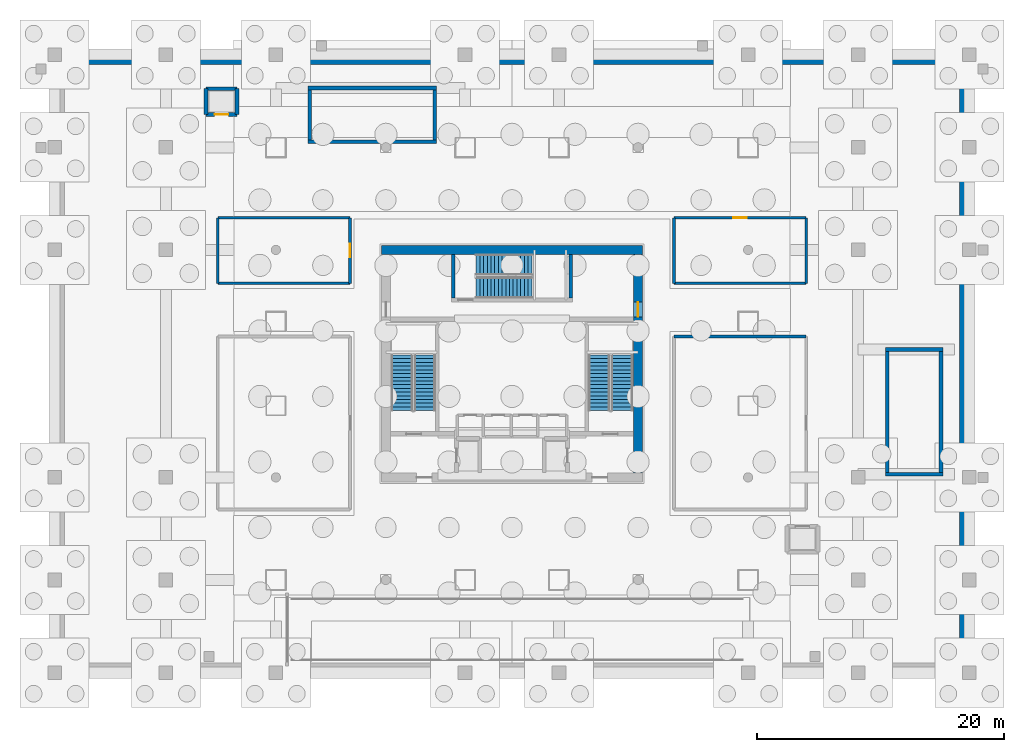
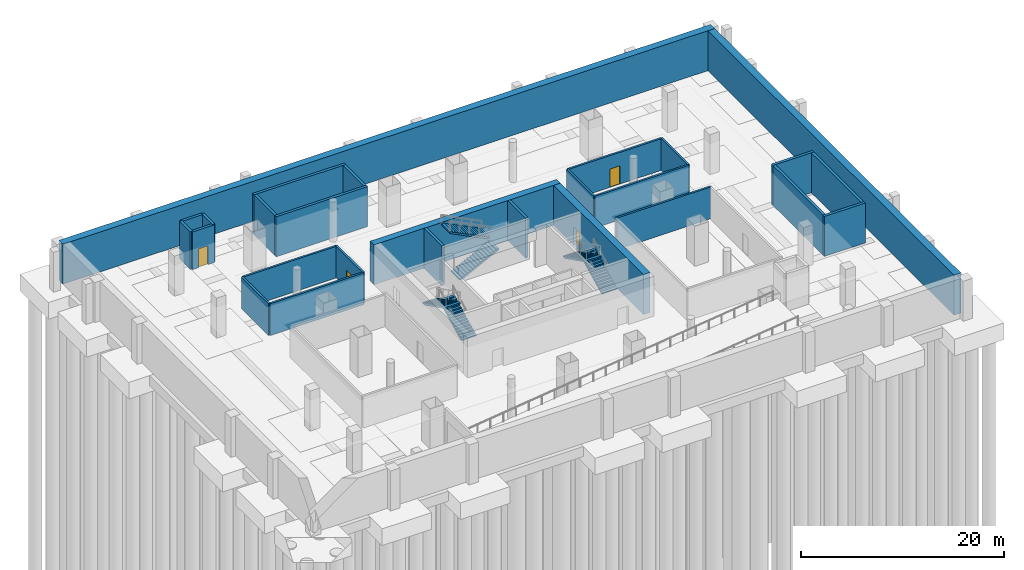
# One storey, part 5 of 11: 27 walls, 6 stair flights, 4 doors, 4 openings, 3 elements without a shape of their own.
"""IFC4 building model written with IfcOpenShell, lengths in metres."""

from ifc_helpers import new_model, si_unit, direction, frame, frame_2d, origin, place, context, subcontext, project, spatial, polyline, rectangle, outline, extrude, material, layer, layer_set, type_object, element, fill, aggregate, save


model = new_model("IFC4")

# Units and contexts
model_context = context("Model", 3, precision=1e-05, world=origin(), true_north=direction((0.0, 1.0)))
body_context = subcontext(model_context, "Body", "Model", "MODEL_VIEW")
ifc_project = project(units=[si_unit("LENGTHUNIT", "METRE"), si_unit("AREAUNIT", "SQUARE_METRE"), si_unit("VOLUMEUNIT", "CUBIC_METRE"), si_unit("PLANEANGLEUNIT", "RADIAN"), si_unit("MASSUNIT", "GRAM", prefix="KILO")], contexts=[model_context])

# Site, building, storey
site_placement = place(None, origin())
site = spatial("IfcSite", under=ifc_project, at=site_placement, CompositionType="ELEMENT")
building_placement = place(site_placement, origin())
building = spatial("IfcBuilding", under=site, at=building_placement, Name="Punatoya Terracotta Tower", CompositionType="ELEMENT")
storey_placement = place(building_placement, frame((0.0, 0.0, -9.60009765625)))
storey = spatial("IfcBuildingStorey", under=building, at=storey_placement, Name="B2", CompositionType="ELEMENT", Elevation=-9.60009765625)

# Wall
ifc_material_1 = material(Name="Concrete C60/75", Category="concrete")
ifc_layer_1 = layer(ifc_material_1, 0.75)
ifc_layer_set_1 = layer_set([ifc_layer_1], Name="Concrete C60/75")
wall_type_1 = type_object("IfcWallType", Name="WL-COR-750", PredefinedType="SHEAR", material=ifc_layer_set_1)
wall_1_placement = place(storey_placement, frame((-10.574951171875, 9.199951171875, 0.0), z_axis=(0.0, 0.0, 1.0), x_axis=(1.0, 0.0, 0.0)))
element("IfcWall", 1, at=wall_1_placement, inside=storey, type_object=wall_type_1, Name="B2 Core Shear Wall N", PredefinedType="SHEAR", context=body_context, shape_type="SweptSolid", body=[
    extrude(rectangle(XDim=21.14990234375, YDim=0.75, at=frame_2d((10.574951171875, 0.0))), origin(), (0.0, 0.0, 1.0), 4.800048828125),
])

# Wall, opening, door
wall_2_placement = place(storey_placement, frame((10.199951171875, 8.824951171875, 0.0), z_axis=(0.0, 0.0, 1.0), x_axis=(0.0, -1.0, 0.0)))
wall_2 = element("IfcWall", 2, at=wall_2_placement, inside=storey, type_object=wall_type_1, Name="B2 Core Shear Wall E", PredefinedType="SHEAR", context=body_context, shape_type="SweptSolid", body=[
    extrude(rectangle(XDim=17.64990234375, YDim=0.75, at=frame_2d((8.824951171875, 0.0))), origin(), (0.0, 0.0, 1.0), 4.800048828125),
])
opening_1_placement = place(wall_2_placement, frame((3.85498046875, 0.0, 0.0)))
opening_1 = element("IfcOpeningElement", 3, at=opening_1_placement, cuts=wall_2, Name="Opening SD-01", PredefinedType="OPENING", context=body_context, shape_type="SweptSolid", body=[
    extrude(rectangle(XDim=1.179931640625, YDim=2.199951171875, at=frame_2d((0.58984375, 1.10009765625))), frame((0.0, 0.385009765625, 0.0), z_axis=(0.0, -1.0, 0.0), x_axis=(1.0, 0.0, 0.0)), (0.0, 0.0, 1.0), 0.77001953125),
])
ifc_material_2 = material(Name="Galvanised Steel Pressurized Stair Fire Door", Category="steel")
door_type_1 = type_object("IfcDoorType", Name="DR-STR-1180", OperationType="NOTDEFINED", PredefinedType="DOOR", material=ifc_material_2)
door_1_placement = place(opening_1_placement, origin())
door_1 = element("IfcDoor", 4, at=door_1_placement, inside=storey, type_object=door_type_1, Name="B2 Central Lift Lobby East Fire Door", OperationType="SINGLE_SWING_RIGHT", OverallHeight=2.199951171875, OverallWidth=1.179931640625, PredefinedType="DOOR", context=body_context, shape_type="SweptSolid", body=[
    extrude(rectangle(XDim=1.179931640625, YDim=2.199951171875, at=frame_2d((0.58984375, 1.10009765625))), frame((0.0, 0.02490234375, 0.0), z_axis=(0.0, -1.0, 0.0), x_axis=(1.0, 0.0, 0.0)), (0.0, 0.0, 1.0), 0.050048828125),
])
fill(opening_1, door_1)

ifc_material_3 = material(Name="Concrete C40/50", Category="concrete")
ifc_layer_2 = layer(ifc_material_3, 0.219970703125)
ifc_layer_set_2 = layer_set([ifc_layer_2], Name="Concrete C40/50")
wall_type_2 = type_object("IfcWallType", Name="WL-FIR-220", PredefinedType="SOLIDWALL", material=ifc_layer_set_2)
wall_3_placement = place(storey_placement, frame((-13.10009765625, 6.5, 0.0), z_axis=(0.0, 0.0, 1.0), x_axis=(0.0, 1.0, 0.0)))
wall_3 = element("IfcWall", 5, at=wall_3_placement, inside=storey, type_object=wall_type_2, Name="B2 Domestic and Fire Water Storage Tank Room Partition 16", PredefinedType="SOLIDWALL", context=body_context, shape_type="SweptSolid", body=[
    extrude(rectangle(XDim=5.300048828125, YDim=0.219970703125, at=frame_2d((2.64990234375, 0.0))), origin(), (0.0, 0.0, 1.0), 3.814208984375),
])
opening_2_placement = place(wall_3_placement, frame((2.10009765625, 0.0, 0.0)))
opening_2 = element("IfcOpeningElement", 6, at=opening_2_placement, cuts=wall_3, Name="Opening FD-P1", PredefinedType="OPENING", context=body_context, shape_type="SweptSolid", body=[
    extrude(rectangle(XDim=1.10009765625, YDim=2.199951171875, at=frame_2d((0.550048828125, 1.10009765625))), frame((0.0, 0.119873046875, 0.0), z_axis=(0.0, -1.0, 0.0), x_axis=(1.0, 0.0, 0.0)), (0.0, 0.0, 1.0), 0.239990234375),
])
ifc_material_4 = material(Name="Galvanised Steel Plant Fire Door", Category="steel")
door_type_2 = type_object("IfcDoorType", Name="DR-PLT-1100", OperationType="NOTDEFINED", PredefinedType="DOOR", material=ifc_material_4)
door_2_placement = place(opening_2_placement, origin())
door_2 = element("IfcDoor", 7, at=door_2_placement, inside=storey, type_object=door_type_2, Name="B2 Domestic and Fire Water Storage Tank Room Fire Door", OperationType="SINGLE_SWING_RIGHT", OverallHeight=2.199951171875, OverallWidth=1.10009765625, PredefinedType="DOOR", context=body_context, shape_type="SweptSolid", body=[
    extrude(rectangle(XDim=1.10009765625, YDim=2.199951171875, at=frame_2d((0.550048828125, 1.10009765625))), frame((0.0, 0.02490234375, 0.0), z_axis=(0.0, -1.0, 0.0), x_axis=(1.0, 0.0, 0.0)), (0.0, 0.0, 1.0), 0.050048828125),
])
fill(opening_2, door_2)

# Walls
wall_4_placement = place(storey_placement, frame((-13.10009765625, 11.800048828125, 0.0), z_axis=(0.0, 0.0, 1.0), x_axis=(-1.0, 0.0, 0.0)))
element("IfcWall", 8, at=wall_4_placement, inside=storey, type_object=wall_type_2, Name="B2 Domestic and Fire Water Storage Tank Room Partition 17", PredefinedType="SOLIDWALL", context=body_context, shape_type="SweptSolid", body=[
    extrude(rectangle(XDim=10.699951171875, YDim=0.219970703125, at=frame_2d((5.35009765625, 0.0))), origin(), (0.0, 0.0, 1.0), 3.814208984375),
])
wall_5_placement = place(storey_placement, frame((-23.800048828125, 11.800048828125, 0.0), z_axis=(0.0, 0.0, 1.0), x_axis=(0.0, -1.0, 0.0)))
element("IfcWall", 9, at=wall_5_placement, inside=storey, type_object=wall_type_2, Name="B2 Domestic and Fire Water Storage Tank Room Partition 18", PredefinedType="SOLIDWALL", context=body_context, shape_type="SweptSolid", body=[
    extrude(rectangle(XDim=5.300048828125, YDim=0.219970703125, at=frame_2d((2.64990234375, 0.0))), origin(), (0.0, 0.0, 1.0), 3.814208984375),
])
for number, where, z_axis, x_axis, name in (
    (10, (-23.800048828125, 6.5, 0.0), (0.0, 0.0, 1.0), (1.0, 0.0, 0.0), "B2 Domestic and Fire Water Storage Tank Room Partition 19"),
    (11, (23.800048828125, 2.199951171875, 0.0), (0.0, 0.0, 1.0), (-1.0, 0.0, 0.0), "B2 Sewage Treatment and Greywater Recycling Plant Partition 21"),
):
    element("IfcWall", number, at=place(storey_placement, frame(where, z_axis=z_axis, x_axis=x_axis)), inside=storey, type_object=wall_type_2, Name=name, PredefinedType="SOLIDWALL", context=body_context, shape_type="SweptSolid", body=[
        extrude(rectangle(XDim=10.699951171875, YDim=0.219970703125, at=frame_2d((5.35009765625, 0.0))), origin(), (0.0, 0.0, 1.0), 3.814208984375),
    ])
wall_6_placement = place(storey_placement, frame((23.800048828125, 6.5, 0.0), z_axis=(0.0, 0.0, 1.0), x_axis=(0.0, 1.0, 0.0)))
element("IfcWall", 12, at=wall_6_placement, inside=storey, type_object=wall_type_2, Name="B2 Standby Diesel Generator Hall Partition 24", PredefinedType="SOLIDWALL", context=body_context, shape_type="SweptSolid", body=[
    extrude(rectangle(XDim=5.300048828125, YDim=0.219970703125, at=frame_2d((2.64990234375, 0.0))), origin(), (0.0, 0.0, 1.0), 3.814208984375),
])

# Wall, opening, door
wall_7_placement = place(storey_placement, frame((23.800048828125, 11.800048828125, 0.0), z_axis=(0.0, 0.0, 1.0), x_axis=(-1.0, 0.0, 0.0)))
wall_7 = element("IfcWall", 13, at=wall_7_placement, inside=storey, type_object=wall_type_2, Name="B2 Standby Diesel Generator Hall Partition 25", PredefinedType="SOLIDWALL", context=body_context, shape_type="SweptSolid", body=[
    extrude(rectangle(XDim=10.699951171875, YDim=0.219970703125, at=frame_2d((5.35009765625, 0.0))), origin(), (0.0, 0.0, 1.0), 3.814208984375),
])
opening_3_placement = place(wall_7_placement, frame((4.800048828125, 0.0, 0.0)))
opening_3 = element("IfcOpeningElement", 14, at=opening_3_placement, cuts=wall_7, Name="Opening FD-P1", PredefinedType="OPENING", context=body_context, shape_type="SweptSolid", body=[
    extrude(rectangle(XDim=1.10009765625, YDim=2.199951171875, at=frame_2d((0.550048828125, 1.10009765625))), frame((0.0, 0.119873046875, 0.0), z_axis=(0.0, -1.0, 0.0), x_axis=(1.0, 0.0, 0.0)), (0.0, 0.0, 1.0), 0.239990234375),
])
door_3_placement = place(opening_3_placement, origin())
door_3 = element("IfcDoor", 15, at=door_3_placement, inside=storey, type_object=door_type_2, Name="B2 Standby Diesel Generator Hall Fire Door", OperationType="SINGLE_SWING_RIGHT", OverallHeight=2.199951171875, OverallWidth=1.10009765625, PredefinedType="DOOR", context=body_context, shape_type="SweptSolid", body=[
    extrude(rectangle(XDim=1.10009765625, YDim=2.199951171875, at=frame_2d((0.550048828125, 1.10009765625))), frame((0.0, 0.02490234375, 0.0), z_axis=(0.0, -1.0, 0.0), x_axis=(1.0, 0.0, 0.0)), (0.0, 0.0, 1.0), 0.050048828125),
])
fill(opening_3, door_3)

# Walls
wall_8_placement = place(storey_placement, frame((13.10009765625, 11.800048828125, 0.0), z_axis=(0.0, 0.0, 1.0), x_axis=(0.0, -1.0, 0.0)))
element("IfcWall", 16, at=wall_8_placement, inside=storey, type_object=wall_type_2, Name="B2 Standby Diesel Generator Hall Partition 26", PredefinedType="SOLIDWALL", context=body_context, shape_type="SweptSolid", body=[
    extrude(rectangle(XDim=5.300048828125, YDim=0.219970703125, at=frame_2d((2.64990234375, 0.0))), origin(), (0.0, 0.0, 1.0), 3.814208984375),
])
wall_9_placement = place(storey_placement, frame((13.10009765625, 6.5, 0.0), z_axis=(0.0, 0.0, 1.0), x_axis=(1.0, 0.0, 0.0)))
element("IfcWall", 17, at=wall_9_placement, inside=storey, type_object=wall_type_2, Name="B2 Standby Diesel Generator Hall Partition 27", PredefinedType="SOLIDWALL", context=body_context, shape_type="SweptSolid", body=[
    extrude(rectangle(XDim=10.699951171875, YDim=0.219970703125, at=frame_2d((5.35009765625, 0.0))), origin(), (0.0, 0.0, 1.0), 3.814208984375),
])
ifc_layer_3 = layer(ifc_material_1, 0.800048828125)
ifc_layer_set_3 = layer_set([ifc_layer_3], Name="Concrete C60/75")
wall_type_3 = type_object("IfcWallType", Name="WL-RET-800", PredefinedType="USERDEFINED", material=ifc_layer_set_3)
wall_10_placement = place(storey_placement, frame((-37.0, 24.60009765625, 0.0), z_axis=(0.0, 0.0, 1.0), x_axis=(1.0, 0.0, 0.0)))
element("IfcWall", 18, at=wall_10_placement, inside=storey, type_object=wall_type_3, Name="B2 Perimeter Retaining Wall North", ObjectType="RETAININGWALL", PredefinedType="USERDEFINED", context=body_context, shape_type="SweptSolid", body=[
    extrude(rectangle(XDim=74.0, YDim=0.800048828125, at=frame_2d((37.0, 0.0))), origin(), (0.0, 0.0, 1.0), 4.800048828125),
])
wall_11_placement = place(storey_placement, frame((36.60009765625, 24.199951171875, 0.0), z_axis=(0.0, 0.0, 1.0), x_axis=(0.0, -1.0, 0.0)))
element("IfcWall", 19, at=wall_11_placement, inside=storey, type_object=wall_type_3, Name="B2 Perimeter Retaining Wall East", ObjectType="RETAININGWALL", PredefinedType="USERDEFINED", context=body_context, shape_type="SweptSolid", body=[
    extrude(rectangle(XDim=48.39990234375, YDim=0.800048828125, at=frame_2d((24.199951171875, 0.0))), origin(), (0.0, 0.0, 1.0), 4.800048828125),
])
ifc_layer_4 = layer(ifc_material_3, 0.300048828125)
ifc_layer_set_4 = layer_set([ifc_layer_4], Name="Concrete C40/50")
wall_type_4 = type_object("IfcWallType", Name="WL-SHF-300", PredefinedType="SOLIDWALL", material=ifc_layer_set_4)
for number, where, z_axis, x_axis, name in (
    (20, (-4.75, 5.300048828125, 0.0), (0.0, 0.0, 1.0), (0.0, 1.0, 0.0), "B2 Structural Stair Shaft Wall SW-ST3-W"),
    (21, (4.75, 8.824951171875, 0.0), (0.0, 0.0, 1.0), (0.0, -1.0, 0.0), "B2 Structural Stair Shaft Wall SW-ST3-E"),
):
    element("IfcWall", number, at=place(storey_placement, frame(where, z_axis=z_axis, x_axis=x_axis)), inside=storey, type_object=wall_type_4, Name=name, PredefinedType="SOLIDWALL", context=body_context, shape_type="SweptSolid", body=[
        extrude(rectangle(XDim=3.52490234375, YDim=0.300048828125, at=frame_2d((1.762451171875, 0.0))), origin(), (0.0, 0.0, 1.0), 4.800048828125),
    ])
for number, where, z_axis, x_axis, name in (
    (22, (-16.5, 17.949951171875, 0.0), (0.0, 0.0, 1.0), (1.0, 0.0, 0.0), "B2 ST-P1 South Structural Shaft Wall"),
    (23, (-6.10009765625, 22.300048828125, 0.0), (0.0, 0.0, 1.0), (-1.0, 0.0, 0.0), "B2 ST-P1 North Structural Shaft Wall"),
):
    element("IfcWall", number, at=place(storey_placement, frame(where, z_axis=z_axis, x_axis=x_axis)), inside=storey, type_object=wall_type_4, Name=name, PredefinedType="SOLIDWALL", context=body_context, shape_type="SweptSolid", body=[
        extrude(rectangle(XDim=10.39990234375, YDim=0.300048828125, at=frame_2d((5.199951171875, 0.0))), origin(), (0.0, 0.0, 1.0), 4.800048828125),
    ])
for number, where, z_axis, x_axis, name in (
    (24, (-16.35009765625, 18.10009765625, 0.0), (0.0, 0.0, 1.0), (0.0, 1.0, 0.0), "B2 ST-P1 West Structural Shaft Wall"),
    (25, (-6.25, 22.14990234375, 0.0), (0.0, 0.0, 1.0), (0.0, -1.0, 0.0), "B2 ST-P1 East Structural Shaft Wall"),
):
    element("IfcWall", number, at=place(storey_placement, frame(where, z_axis=z_axis, x_axis=x_axis)), inside=storey, type_object=wall_type_4, Name=name, PredefinedType="SOLIDWALL", context=body_context, shape_type="SweptSolid", body=[
        extrude(rectangle(XDim=4.0498046875, YDim=0.300048828125, at=frame_2d((2.02490234375, 0.0))), origin(), (0.0, 0.0, 1.0), 4.800048828125),
    ])
for number, where, z_axis, x_axis, name in (
    (26, (30.199951171875, -8.949951171875, 0.0), (0.0, 0.0, 1.0), (1.0, 0.0, 0.0), "B2 ST-P2 South Structural Shaft Wall"),
    (27, (34.85009765625, 1.14990234375, 0.0), (0.0, 0.0, 1.0), (-1.0, 0.0, 0.0), "B2 ST-P2 North Structural Shaft Wall"),
):
    element("IfcWall", number, at=place(storey_placement, frame(where, z_axis=z_axis, x_axis=x_axis)), inside=storey, type_object=wall_type_4, Name=name, PredefinedType="SOLIDWALL", context=body_context, shape_type="SweptSolid", body=[
        extrude(rectangle(XDim=4.650146484375, YDim=0.300048828125, at=frame_2d((2.3251953125, 0.0))), origin(), (0.0, 0.0, 1.0), 4.800048828125),
    ])
for number, where, z_axis, x_axis, name in (
    (28, (30.35009765625, -8.800048828125, 0.0), (0.0, 0.0, 1.0), (0.0, 1.0, 0.0), "B2 ST-P2 West Structural Shaft Wall"),
    (29, (34.699951171875, 1.0, 0.0), (0.0, 0.0, 1.0), (0.0, -1.0, 0.0), "B2 ST-P2 East Structural Shaft Wall"),
):
    element("IfcWall", number, at=place(storey_placement, frame(where, z_axis=z_axis, x_axis=x_axis)), inside=storey, type_object=wall_type_4, Name=name, PredefinedType="SOLIDWALL", context=body_context, shape_type="SweptSolid", body=[
        extrude(rectangle(XDim=9.800048828125, YDim=0.300048828125, at=frame_2d((4.89990234375, 0.0))), origin(), (0.0, 0.0, 1.0), 4.800048828125),
    ])

# Wall, opening, door
wall_12_placement = place(storey_placement, frame((-24.75, 20.14990234375, 0.0), z_axis=(0.0, 0.0, 1.0), x_axis=(1.0, 0.0, 0.0)))
wall_12 = element("IfcWall", 30, at=wall_12_placement, inside=storey, type_object=wall_type_4, Name="B2 Podium Lift PL-P1 Front Wall", PredefinedType="SOLIDWALL", context=body_context, shape_type="SweptSolid", body=[
    extrude(rectangle(XDim=2.5, YDim=0.300048828125, at=frame_2d((1.25, 0.0))), origin(), (0.0, 0.0, 1.0), 4.52001953125),
])
opening_4_placement = place(wall_12_placement, frame((0.68994140625, 0.0, 0.0)))
opening_4 = element("IfcOpeningElement", 31, at=opening_4_placement, cuts=wall_12, Name="Opening LD-02", PredefinedType="OPENING", context=body_context, shape_type="SweptSolid", body=[
    extrude(rectangle(XDim=1.1201171875, YDim=2.25, at=frame_2d((0.56005859375, 1.125))), frame((0.0, 0.159912109375, 0.0), z_axis=(0.0, -1.0, 0.0), x_axis=(1.0, 0.0, 0.0)), (0.0, 0.0, 1.0), 0.320068359375),
])
ifc_material_5 = material(Name="Stainless Steel Lift Landing Door", Category="steel")
door_type_3 = type_object("IfcDoorType", Name="DR-LND-1120", OperationType="NOTDEFINED", PredefinedType="DOOR", material=ifc_material_5)
door_4_placement = place(opening_4_placement, origin())
door_4 = element("IfcDoor", 32, at=door_4_placement, inside=storey, type_object=door_type_3, Name="B2 Podium Lift PL-P1 Sliding Landing Door", OperationType="DOUBLE_DOOR_SLIDING", OverallHeight=2.25, OverallWidth=1.1201171875, PredefinedType="DOOR", context=body_context, shape_type="SweptSolid", body=[
    extrude(rectangle(XDim=1.1201171875, YDim=2.25, at=frame_2d((0.56005859375, 1.125))), frame((0.0, 0.02490234375, 0.0), z_axis=(0.0, -1.0, 0.0), x_axis=(1.0, 0.0, 0.0)), (0.0, 0.0, 1.0), 0.050048828125),
])
fill(opening_4, door_4)

# Walls
wall_13_placement = place(storey_placement, frame((-24.75, 22.25, 0.0), z_axis=(0.0, 0.0, 1.0), x_axis=(1.0, 0.0, 0.0)))
element("IfcWall", 33, at=wall_13_placement, inside=storey, type_object=wall_type_4, Name="B2 Podium Lift PL-P1 Rear Wall", PredefinedType="SOLIDWALL", context=body_context, shape_type="SweptSolid", body=[
    extrude(rectangle(XDim=2.5, YDim=0.300048828125, at=frame_2d((1.25, 0.0))), origin(), (0.0, 0.0, 1.0), 4.52001953125),
])
for number, where, z_axis, x_axis, name in (
    (34, (-24.75, 20.14990234375, 0.0), (0.0, 0.0, 1.0), (0.0, 1.0, 0.0), "B2 Podium Lift PL-P1 West Wall"),
    (35, (-22.25, 20.14990234375, 0.0), (0.0, 0.0, 1.0), (0.0, 1.0, 0.0), "B2 Podium Lift PL-P1 East Wall"),
):
    element("IfcWall", number, at=place(storey_placement, frame(where, z_axis=z_axis, x_axis=x_axis)), inside=storey, type_object=wall_type_4, Name=name, PredefinedType="SOLIDWALL", context=body_context, shape_type="SweptSolid", body=[
        extrude(rectangle(XDim=2.10009765625, YDim=0.300048828125, at=frame_2d((1.050048828125, 0.0))), origin(), (0.0, 0.0, 1.0), 4.52001953125),
    ])

# Stair, stair flights
stair_type_1 = type_object("IfcStairType", Name="STR-CORE-1550", PredefinedType="HALF_TURN_STAIR", material=ifc_material_3)
stair_1_placement = place(storey_placement, origin())
stair_1 = element("IfcStair", 36, at=stair_1_placement, inside=storey, type_object=stair_type_1, Name="B2 Protected Core Exit Stair ST-1", PredefinedType="HALF_TURN_STAIR")
stair_flight_type_1 = type_object("IfcStairFlightType", Name="SFL-CORE-1550", PredefinedType="STRAIGHT", material=ifc_material_3)
stair_flight_1_placement = place(storey_placement, frame((-7.050048828125, -3.800048828125, 0.0), z_axis=(0.0, 0.0, 1.0), x_axis=(0.0, 1.0, 0.0)))
stair_flight_1 = element("IfcStairFlight", 37, at=stair_flight_1_placement, type_object=stair_flight_type_1, Name="ST-1 flight 1", NumberOfRisers=16, NumberOfTreads=15, PredefinedType="STRAIGHT", RiserHeight=0.15, TreadLength=0.3, context=body_context, shape_type="SweptSolid", body=[
    extrude(outline(polyline([(0.0, 0.0), (0.0, 0.14990234375), (0.300048828125, 0.14990234375), (0.300048828125, 0.300048828125), (0.60009765625, 0.300048828125), (0.60009765625, 0.449951171875), (0.89990234375, 0.449951171875), (0.89990234375, 0.60009765625), (1.199951171875, 0.60009765625), (1.199951171875, 0.75), (1.5, 0.75), (1.5, 0.89990234375), (1.800048828125, 0.89990234375), (1.800048828125, 1.050048828125), (2.10009765625, 1.050048828125), (2.10009765625, 1.199951171875), (2.39990234375, 1.199951171875), (2.39990234375, 1.35009765625), (2.699951171875, 1.35009765625), (2.699951171875, 1.5), (3.0, 1.5), (3.0, 1.64990234375), (3.300048828125, 1.64990234375), (3.300048828125, 1.800048828125), (3.60009765625, 1.800048828125), (3.60009765625, 1.949951171875), (3.89990234375, 1.949951171875), (3.89990234375, 2.10009765625), (4.199951171875, 2.10009765625), (4.199951171875, 2.25), (4.5, 2.25), (4.5, 2.39990234375), (4.5, 2.08251953125), (0.335205078125, 0.0), (0.0, 0.0)])), frame((0.0, 0.85009765625, 0.0), z_axis=(0.0, -1.0, 0.0), x_axis=(1.0, 0.0, 0.0)), (0.0, 0.0, 1.0), 1.699951171875),
])
stair_flight_2_placement = place(storey_placement, frame((-8.89990234375, 0.699951171875, 2.400146484375), z_axis=(0.0, 0.0, 1.0), x_axis=(0.0, -1.0, 0.0)))
stair_flight_2 = element("IfcStairFlight", 38, at=stair_flight_2_placement, type_object=stair_flight_type_1, Name="ST-1 flight 2", NumberOfRisers=16, NumberOfTreads=15, PredefinedType="STRAIGHT", RiserHeight=0.15, TreadLength=0.3, context=body_context, shape_type="SweptSolid", body=[
    extrude(outline(polyline([(0.0, 0.0), (0.0, 0.14990234375), (0.300048828125, 0.14990234375), (0.300048828125, 0.300048828125), (0.60009765625, 0.300048828125), (0.60009765625, 0.449951171875), (0.89990234375, 0.449951171875), (0.89990234375, 0.60009765625), (1.199951171875, 0.60009765625), (1.199951171875, 0.75), (1.5, 0.75), (1.5, 0.89990234375), (1.800048828125, 0.89990234375), (1.800048828125, 1.050048828125), (2.10009765625, 1.050048828125), (2.10009765625, 1.199951171875), (2.39990234375, 1.199951171875), (2.39990234375, 1.35009765625), (2.699951171875, 1.35009765625), (2.699951171875, 1.5), (3.0, 1.5), (3.0, 1.64990234375), (3.300048828125, 1.64990234375), (3.300048828125, 1.800048828125), (3.60009765625, 1.800048828125), (3.60009765625, 1.949951171875), (3.89990234375, 1.949951171875), (3.89990234375, 2.10009765625), (4.199951171875, 2.10009765625), (4.199951171875, 2.25), (4.5, 2.25), (4.5, 2.39990234375), (4.5, 2.08251953125), (0.335205078125, 0.0), (0.0, 0.0)])), frame((0.0, 0.85009765625, 0.0), z_axis=(0.0, -1.0, 0.0), x_axis=(1.0, 0.0, 0.0)), (0.0, 0.0, 1.0), 1.699951171875),
])
aggregate(stair_1, [stair_flight_1, stair_flight_2])

stair_type_2 = type_object("IfcStairType", Name="STR-LOB-1650", PredefinedType="HALF_TURN_STAIR", material=ifc_material_3)
stair_2_placement = place(storey_placement, origin())
stair_2 = element("IfcStair", 39, at=stair_2_placement, inside=storey, type_object=stair_type_2, Name="B2 Protected Core Exit Stair ST-2", PredefinedType="HALF_TURN_STAIR")
stair_flight_type_2 = type_object("IfcStairFlightType", Name="SFL-LOB-1650", PredefinedType="STRAIGHT", material=ifc_material_3)
stair_flight_3_placement = place(storey_placement, frame((8.89990234375, -3.800048828125, 0.0), z_axis=(0.0, 0.0, 1.0), x_axis=(0.0, 1.0, 0.0)))
stair_flight_3 = element("IfcStairFlight", 40, at=stair_flight_3_placement, type_object=stair_flight_type_2, Name="ST-2 flight 1", NumberOfRisers=16, NumberOfTreads=15, PredefinedType="STRAIGHT", RiserHeight=0.15, TreadLength=0.3, context=body_context, shape_type="SweptSolid", body=[
    extrude(outline(polyline([(0.0, 0.0), (0.0, 0.14990234375), (0.300048828125, 0.14990234375), (0.300048828125, 0.300048828125), (0.60009765625, 0.300048828125), (0.60009765625, 0.449951171875), (0.89990234375, 0.449951171875), (0.89990234375, 0.60009765625), (1.199951171875, 0.60009765625), (1.199951171875, 0.75), (1.5, 0.75), (1.5, 0.89990234375), (1.800048828125, 0.89990234375), (1.800048828125, 1.050048828125), (2.10009765625, 1.050048828125), (2.10009765625, 1.199951171875), (2.39990234375, 1.199951171875), (2.39990234375, 1.35009765625), (2.699951171875, 1.35009765625), (2.699951171875, 1.5), (3.0, 1.5), (3.0, 1.64990234375), (3.300048828125, 1.64990234375), (3.300048828125, 1.800048828125), (3.60009765625, 1.800048828125), (3.60009765625, 1.949951171875), (3.89990234375, 1.949951171875), (3.89990234375, 2.10009765625), (4.199951171875, 2.10009765625), (4.199951171875, 2.25), (4.5, 2.25), (4.5, 2.39990234375), (4.5, 2.08251953125), (0.335205078125, 0.0), (0.0, 0.0)])), frame((0.0, 0.85009765625, 0.0), z_axis=(0.0, -1.0, 0.0), x_axis=(1.0, 0.0, 0.0)), (0.0, 0.0, 1.0), 1.699951171875),
])
stair_flight_4_placement = place(storey_placement, frame((7.050048828125, 0.699951171875, 2.400146484375), z_axis=(0.0, 0.0, 1.0), x_axis=(0.0, -1.0, 0.0)))
stair_flight_4 = element("IfcStairFlight", 41, at=stair_flight_4_placement, type_object=stair_flight_type_2, Name="ST-2 flight 2", NumberOfRisers=16, NumberOfTreads=15, PredefinedType="STRAIGHT", RiserHeight=0.15, TreadLength=0.3, context=body_context, shape_type="SweptSolid", body=[
    extrude(outline(polyline([(0.0, 0.0), (0.0, 0.14990234375), (0.300048828125, 0.14990234375), (0.300048828125, 0.300048828125), (0.60009765625, 0.300048828125), (0.60009765625, 0.449951171875), (0.89990234375, 0.449951171875), (0.89990234375, 0.60009765625), (1.199951171875, 0.60009765625), (1.199951171875, 0.75), (1.5, 0.75), (1.5, 0.89990234375), (1.800048828125, 0.89990234375), (1.800048828125, 1.050048828125), (2.10009765625, 1.050048828125), (2.10009765625, 1.199951171875), (2.39990234375, 1.199951171875), (2.39990234375, 1.35009765625), (2.699951171875, 1.35009765625), (2.699951171875, 1.5), (3.0, 1.5), (3.0, 1.64990234375), (3.300048828125, 1.64990234375), (3.300048828125, 1.800048828125), (3.60009765625, 1.800048828125), (3.60009765625, 1.949951171875), (3.89990234375, 1.949951171875), (3.89990234375, 2.10009765625), (4.199951171875, 2.10009765625), (4.199951171875, 2.25), (4.5, 2.25), (4.5, 2.39990234375), (4.5, 2.08251953125), (0.335205078125, 0.0), (0.0, 0.0)])), frame((0.0, 0.85009765625, 0.0), z_axis=(0.0, -1.0, 0.0), x_axis=(1.0, 0.0, 0.0)), (0.0, 0.0, 1.0), 1.699951171875),
])
aggregate(stair_2, [stair_flight_3, stair_flight_4])

stair_type_3 = type_object("IfcStairType", Name="STR-TER-1450", PredefinedType="HALF_TURN_STAIR", material=ifc_material_3)
stair_3_placement = place(storey_placement, origin())
stair_3 = element("IfcStair", 42, at=stair_3_placement, inside=storey, type_object=stair_type_3, Name="B2 Protected Core Exit Stair ST-3", PredefinedType="HALF_TURN_STAIR")
stair_flight_type_3 = type_object("IfcStairFlightType", Name="SFL-TER-1450", PredefinedType="STRAIGHT", material=ifc_material_3)
stair_flight_5_placement = place(storey_placement, frame((-2.89990234375, 6.14990234375, 0.0), z_axis=(0.0, 0.0, 1.0), x_axis=(1.0, 0.0, 0.0)))
stair_flight_5 = element("IfcStairFlight", 43, at=stair_flight_5_placement, type_object=stair_flight_type_3, Name="ST-3 flight 1", NumberOfRisers=16, NumberOfTreads=15, PredefinedType="STRAIGHT", RiserHeight=0.15, TreadLength=0.3, context=body_context, shape_type="SweptSolid", body=[
    extrude(outline(polyline([(0.0, 0.0), (0.0, 0.14990234375), (0.300048828125, 0.14990234375), (0.300048828125, 0.300048828125), (0.60009765625, 0.300048828125), (0.60009765625, 0.449951171875), (0.89990234375, 0.449951171875), (0.89990234375, 0.60009765625), (1.199951171875, 0.60009765625), (1.199951171875, 0.75), (1.5, 0.75), (1.5, 0.89990234375), (1.800048828125, 0.89990234375), (1.800048828125, 1.050048828125), (2.10009765625, 1.050048828125), (2.10009765625, 1.199951171875), (2.39990234375, 1.199951171875), (2.39990234375, 1.35009765625), (2.699951171875, 1.35009765625), (2.699951171875, 1.5), (3.0, 1.5), (3.0, 1.64990234375), (3.300048828125, 1.64990234375), (3.300048828125, 1.800048828125), (3.60009765625, 1.800048828125), (3.60009765625, 1.949951171875), (3.89990234375, 1.949951171875), (3.89990234375, 2.10009765625), (4.199951171875, 2.10009765625), (4.199951171875, 2.25), (4.5, 2.25), (4.5, 2.39990234375), (4.5, 2.08251953125), (0.335205078125, 0.0), (0.0, 0.0)])), frame((0.0, 0.85009765625, 0.0), z_axis=(0.0, -1.0, 0.0), x_axis=(1.0, 0.0, 0.0)), (0.0, 0.0, 1.0), 1.699951171875),
])
stair_flight_6_placement = place(storey_placement, frame((1.60009765625, 8.0, 2.400146484375), z_axis=(0.0, 0.0, 1.0), x_axis=(-1.0, 0.0, 0.0)))
stair_flight_6 = element("IfcStairFlight", 44, at=stair_flight_6_placement, type_object=stair_flight_type_3, Name="ST-3 flight 2", NumberOfRisers=16, NumberOfTreads=15, PredefinedType="STRAIGHT", RiserHeight=0.15, TreadLength=0.3, context=body_context, shape_type="SweptSolid", body=[
    extrude(outline(polyline([(0.0, 0.0), (0.0, 0.14990234375), (0.300048828125, 0.14990234375), (0.300048828125, 0.300048828125), (0.60009765625, 0.300048828125), (0.60009765625, 0.449951171875), (0.89990234375, 0.449951171875), (0.89990234375, 0.60009765625), (1.199951171875, 0.60009765625), (1.199951171875, 0.75), (1.5, 0.75), (1.5, 0.89990234375), (1.800048828125, 0.89990234375), (1.800048828125, 1.050048828125), (2.10009765625, 1.050048828125), (2.10009765625, 1.199951171875), (2.39990234375, 1.199951171875), (2.39990234375, 1.35009765625), (2.699951171875, 1.35009765625), (2.699951171875, 1.5), (3.0, 1.5), (3.0, 1.64990234375), (3.300048828125, 1.64990234375), (3.300048828125, 1.800048828125), (3.60009765625, 1.800048828125), (3.60009765625, 1.949951171875), (3.89990234375, 1.949951171875), (3.89990234375, 2.10009765625), (4.199951171875, 2.10009765625), (4.199951171875, 2.25), (4.5, 2.25), (4.5, 2.39990234375), (4.5, 2.08251953125), (0.335205078125, 0.0), (0.0, 0.0)])), frame((0.0, 0.85009765625, 0.0), z_axis=(0.0, -1.0, 0.0), x_axis=(1.0, 0.0, 0.0)), (0.0, 0.0, 1.0), 1.699951171875),
])
aggregate(stair_3, [stair_flight_5, stair_flight_6])

save(model, "model.ifc")
